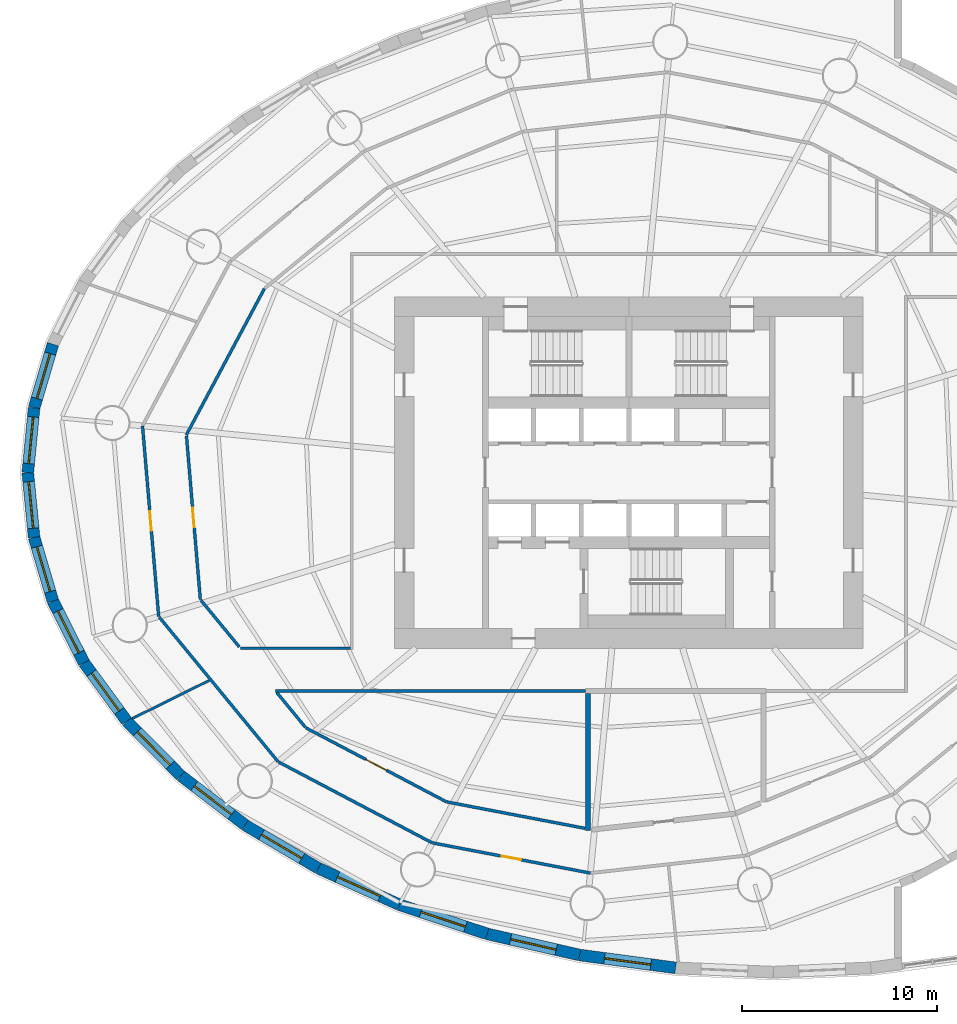
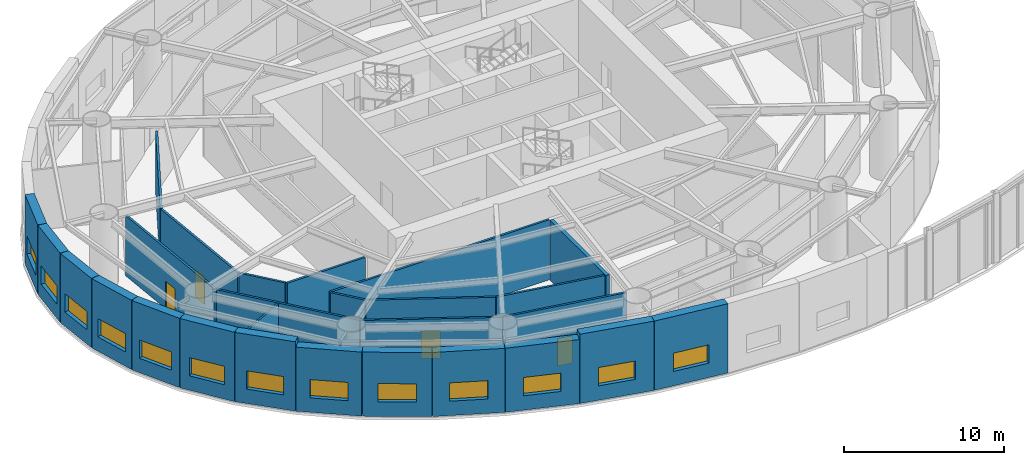
# One storey, part 14 of 19: 27 walls, 13 windows, 4 doors, 17 openings.
"""IFC4 building model written with IfcOpenShell, lengths in metres."""

from ifc_helpers import new_model, si_unit, direction, frame, frame_2d, origin, place, context, subcontext, project, spatial, rectangle, extrude, material, layer, layer_set, type_object, element, fill, save


model = new_model("IFC4")

# Units and contexts
model_context = context("Model", 3, precision=1e-05, world=origin(), true_north=direction((0.0, 1.0)))
body_context = subcontext(model_context, "Body", "Model", "MODEL_VIEW")
ifc_project = project(units=[si_unit("LENGTHUNIT", "METRE"), si_unit("AREAUNIT", "SQUARE_METRE"), si_unit("VOLUMEUNIT", "CUBIC_METRE"), si_unit("PLANEANGLEUNIT", "RADIAN"), si_unit("MASSUNIT", "GRAM", prefix="KILO")], contexts=[model_context])

# Site, building, storey
site_placement = place(None, origin())
site = spatial("IfcSite", under=ifc_project, at=site_placement, CompositionType="ELEMENT")
building_placement = place(site_placement, origin())
building = spatial("IfcBuilding", under=site, at=building_placement, Name="Vermilion Reach Broadcast Tower", CompositionType="ELEMENT")
storey_placement = place(building_placement, frame((0.0, 0.0, 26.0)))
storey = spatial("IfcBuildingStorey", under=building, at=storey_placement, Name="L03", CompositionType="ELEMENT", Elevation=26.0)

# Walls
ifc_material_1 = material(Name="Gypsum board partition")
ifc_layer_1 = layer(ifc_material_1, 0.14990234375)
ifc_layer_set_1 = layer_set([ifc_layer_1], Name="Corridor wall 150")
wall_type_1 = type_object("IfcWallType", Name="Corridor wall 150", PredefinedType="PARTITIONING", material=ifc_layer_set_1)
wall_1_placement = place(storey_placement, frame((-24.097412109375, -11.199951171875, 0.0), z_axis=(0.0, 0.0, 1.0), x_axis=(1.0, 0.0, 0.0)))
element("IfcWall", 1, at=wall_1_placement, inside=storey, type_object=wall_type_1, Name="sp.wall.L03.002", PredefinedType="PARTITIONING", context=body_context, shape_type="SweptSolid", body=[
    extrude(rectangle(XDim=15.875244140625, YDim=0.14990234375, at=frame_2d((7.9375, 0.0))), origin(), (0.0, 0.0, 1.0), 4.60009765625),
])
wall_2_placement = place(storey_placement, frame((-25.90576171875, -9.0, 0.0), z_axis=(0.0, 0.0, 1.0), x_axis=(1.0, 0.0, 0.0)))
element("IfcWall", 2, at=wall_2_placement, inside=storey, type_object=wall_type_1, Name="sp.wall.L03.007", PredefinedType="PARTITIONING", context=body_context, shape_type="SweptSolid", body=[
    extrude(rectangle(XDim=5.630859375, YDim=0.14990234375, at=frame_2d((2.8154296875, 0.0))), origin(), (0.0, 0.0, 1.0), 4.60009765625),
])
wall_3_placement = place(storey_placement, frame((-28.674072265625, 1.933349609375, 0.0), z_axis=(0.0, 0.0, 1.0), x_axis=(0.470743396375, 0.882270171076, 0.0)))
element("IfcWall", 3, at=wall_3_placement, inside=storey, type_object=wall_type_1, Name="sp.wall.L03.017", PredefinedType="PARTITIONING", context=body_context, shape_type="SweptSolid", body=[
    extrude(rectangle(XDim=8.4931640625, YDim=0.14990234375, at=frame_2d((4.24658203125, 0.0))), origin(), (0.0, 0.0, 1.0), 4.60009765625),
])
wall_4_placement = place(storey_placement, frame((-27.926025390625, -6.54248046875, 0.0), z_axis=(0.0, 0.0, 1.0), x_axis=(0.635017397711, -0.772497834692, 0.0)))
element("IfcWall", 4, at=wall_4_placement, inside=storey, type_object=wall_type_1, Name="sp.wall.L03.020", PredefinedType="PARTITIONING", context=body_context, shape_type="SweptSolid", body=[
    extrude(rectangle(XDim=3.08984375, YDim=0.14990234375, at=frame_2d((1.544921875, 0.0))), origin(), (0.0, 0.0, 1.0), 4.60009765625),
])
wall_5_placement = place(storey_placement, frame((-24.039306640625, -11.2705078125, 0.0), z_axis=(0.0, 0.0, 1.0), x_axis=(0.634980634047, -0.772528054109, 0.0)))
element("IfcWall", 5, at=wall_5_placement, inside=storey, type_object=wall_type_1, Name="sp.wall.L03.021", PredefinedType="PARTITIONING", context=body_context, shape_type="SweptSolid", body=[
    extrude(rectangle(XDim=2.309326171875, YDim=0.14990234375, at=frame_2d((1.15478515625, 0.0))), origin(), (0.0, 0.0, 1.0), 4.60009765625),
])

# Wall, opening, door
wall_6_placement = place(storey_placement, frame((-27.958984375, -6.50244140625, 0.0), z_axis=(0.0, 0.0, 1.0), x_axis=(-0.084490422104, 0.99642429144, 0.0)))
wall_6 = element("IfcWall", 6, at=wall_6_placement, inside=storey, type_object=wall_type_1, Name="sp.wall.L03.022", PredefinedType="PARTITIONING", context=body_context, shape_type="SweptSolid", body=[
    extrude(rectangle(XDim=8.417236328125, YDim=0.14990234375, at=frame_2d((4.20849609375, 0.0))), origin(), (0.0, 0.0, 1.0), 4.60009765625),
])
opening_1_placement = place(wall_6_placement, frame((3.708740234375, 0.0, 0.0)))
opening_1 = element("IfcOpeningElement", 7, at=opening_1_placement, cuts=wall_6, Name="Opening D50", PredefinedType="OPENING", context=body_context, shape_type="SweptSolid", body=[
    extrude(rectangle(XDim=1.0, YDim=2.10009765625, at=frame_2d((0.5, 1.050048828125))), frame((0.0, 0.0849609375, 0.0), z_axis=(0.0, -1.0, 0.0), x_axis=(1.0, 0.0, 0.0)), (0.0, 0.0, 1.0), 0.169921875),
])
ifc_material_2 = material(Name="Timber and steel door set", Category="steel")
door_type_1 = type_object("IfcDoorType", Name="Door 1000x2100", OperationType="NOTDEFINED", PredefinedType="DOOR", material=ifc_material_2)
door_1_placement = place(opening_1_placement, origin())
door_1 = element("IfcDoor", 8, at=door_1_placement, inside=storey, type_object=door_type_1, Name="sp.door.L03.004", OperationType="SINGLE_SWING_LEFT", OverallHeight=2.10009765625, OverallWidth=1.0, PredefinedType="DOOR", context=body_context, shape_type="SweptSolid", body=[
    extrude(rectangle(XDim=1.0, YDim=2.10009765625, at=frame_2d((0.5, 1.050048828125))), frame((0.0, 0.02490234375, 0.0), z_axis=(0.0, -1.0, 0.0), x_axis=(1.0, 0.0, 0.0)), (0.0, 0.0, 1.0), 0.050048828125),
])
fill(opening_1, door_1)

wall_7_placement = place(storey_placement, frame((-22.552734375, -13.078857421875, 0.0), z_axis=(0.0, 0.0, 1.0), x_axis=(0.884926027541, -0.46573160273, 0.0)))
wall_7 = element("IfcWall", 9, at=wall_7_placement, inside=storey, type_object=wall_type_1, Name="sp.wall.L03.024", PredefinedType="PARTITIONING", context=body_context, shape_type="SweptSolid", body=[
    extrude(rectangle(XDim=8.14208984375, YDim=0.14990234375, at=frame_2d((4.071044921875, 0.0))), origin(), (0.0, 0.0, 1.0), 4.60009765625),
])
opening_2_placement = place(wall_7_placement, frame((3.47119140625, 0.0, 0.0)))
opening_2 = element("IfcOpeningElement", 10, at=opening_2_placement, cuts=wall_7, Name="Opening D57", PredefinedType="OPENING", context=body_context, shape_type="SweptSolid", body=[
    extrude(rectangle(XDim=1.199951171875, YDim=2.10009765625, at=frame_2d((0.60009765625, 1.050048828125))), frame((0.0, 0.0849609375, 0.0), z_axis=(0.0, -1.0, 0.0), x_axis=(1.0, 0.0, 0.0)), (0.0, 0.0, 1.0), 0.169921875),
])
ifc_material_3 = material(Name="Timber and steel door set", Category="steel")
door_type_2 = type_object("IfcDoorType", Name="Control room door 1200x2100", OperationType="NOTDEFINED", PredefinedType="DOOR", material=ifc_material_3)
door_2_placement = place(opening_2_placement, origin())
door_2 = element("IfcDoor", 11, at=door_2_placement, inside=storey, type_object=door_type_2, Name="sp.door.L03.005", OperationType="SINGLE_SWING_RIGHT", OverallHeight=2.10009765625, OverallWidth=1.199951171875, PredefinedType="DOOR", context=body_context, shape_type="SweptSolid", body=[
    extrude(rectangle(XDim=1.199951171875, YDim=2.10009765625, at=frame_2d((0.60009765625, 1.050048828125))), frame((0.0, 0.02490234375, 0.0), z_axis=(0.0, -1.0, 0.0), x_axis=(1.0, 0.0, 0.0)), (0.0, 0.0, 1.0), 0.050048828125),
])
fill(opening_2, door_2)

# Wall
wall_8_placement = place(storey_placement, frame((-15.3251953125, -16.875244140625, 0.0), z_axis=(0.0, 0.0, 1.0), x_axis=(0.982205675637, -0.187808441629, 0.0)))
element("IfcWall", 12, at=wall_8_placement, inside=storey, type_object=wall_type_1, Name="sp.wall.L03.025", PredefinedType="PARTITIONING", context=body_context, shape_type="SweptSolid", body=[
    extrude(rectangle(XDim=7.21728515625, YDim=0.14990234375, at=frame_2d((3.608642578125, 0.0))), origin(), (0.0, 0.0, 1.0), 4.60009765625),
])

# Wall, opening, door
wall_9_placement = place(storey_placement, frame((-30.921142578125, 2.395263671875, 0.0), z_axis=(0.0, 0.0, 1.0), x_axis=(0.084469905026, -0.996426030945, 0.0)))
wall_9 = element("IfcWall", 13, at=wall_9_placement, inside=storey, type_object=wall_type_1, Name="sp.wall.L03.046", PredefinedType="PARTITIONING", context=body_context, shape_type="SweptSolid", body=[
    extrude(rectangle(XDim=9.80078125, YDim=0.14990234375, at=frame_2d((4.900390625, 0.0))), origin(), (0.0, 0.0, 1.0), 4.60009765625),
])
opening_3_placement = place(wall_9_placement, frame((4.400390625, 0.0, 0.0)))
opening_3 = element("IfcOpeningElement", 14, at=opening_3_placement, cuts=wall_9, Name="Opening D50", PredefinedType="OPENING", context=body_context, shape_type="SweptSolid", body=[
    extrude(rectangle(XDim=1.0, YDim=2.10009765625, at=frame_2d((0.5, 1.050048828125))), frame((0.0, 0.0849609375, 0.0), z_axis=(0.0, -1.0, 0.0), x_axis=(1.0, 0.0, 0.0)), (0.0, 0.0, 1.0), 0.169921875),
])
door_3_placement = place(opening_3_placement, origin())
door_3 = element("IfcDoor", 15, at=door_3_placement, inside=storey, type_object=door_type_1, Name="sp.door.L03.010", OperationType="SINGLE_SWING_RIGHT", OverallHeight=2.10009765625, OverallWidth=1.0, PredefinedType="DOOR", context=body_context, shape_type="SweptSolid", body=[
    extrude(rectangle(XDim=1.0, YDim=2.10009765625, at=frame_2d((0.5, 1.050048828125))), frame((0.0, 0.02490234375, 0.0), z_axis=(0.0, -1.0, 0.0), x_axis=(1.0, 0.0, 0.0)), (0.0, 0.0, 1.0), 0.050048828125),
])
fill(opening_3, door_3)

# Walls
wall_10_placement = place(storey_placement, frame((-30.060302734375, -7.41064453125, 0.0), z_axis=(0.0, 0.0, 1.0), x_axis=(0.63502168635, -0.772494309277, 0.0)))
element("IfcWall", 16, at=wall_10_placement, inside=storey, type_object=wall_type_1, Name="sp.wall.L03.047", PredefinedType="PARTITIONING", context=body_context, shape_type="SweptSolid", body=[
    extrude(rectangle(XDim=9.590087890625, YDim=0.14990234375, at=frame_2d((4.794921875, 0.0))), origin(), (0.0, 0.0, 1.0), 4.60009765625),
])
wall_11_placement = place(storey_placement, frame((-23.9423828125, -14.83349609375, 0.0), z_axis=(0.0, 0.0, 1.0), x_axis=(0.884920607371, -0.465741901326, 0.0)))
element("IfcWall", 17, at=wall_11_placement, inside=storey, type_object=wall_type_1, Name="sp.wall.L03.048", PredefinedType="PARTITIONING", context=body_context, shape_type="SweptSolid", body=[
    extrude(rectangle(XDim=8.882080078125, YDim=0.14990234375, at=frame_2d((4.44091796875, 0.0))), origin(), (0.0, 0.0, 1.0), 4.60009765625),
])

# Wall, opening, door
wall_12_placement = place(storey_placement, frame((-16.06005859375, -18.974609375, 0.0), z_axis=(0.0, 0.0, 1.0), x_axis=(0.982207009241, -0.187801466976, 0.0)))
wall_12 = element("IfcWall", 18, at=wall_12_placement, inside=storey, type_object=wall_type_1, Name="sp.wall.L03.049", PredefinedType="PARTITIONING", context=body_context, shape_type="SweptSolid", body=[
    extrude(rectangle(XDim=8.234130859375, YDim=0.14990234375, at=frame_2d((4.1171875, 0.0))), origin(), (0.0, 0.0, 1.0), 4.60009765625),
])
opening_4_placement = place(wall_12_placement, frame((3.6171875, 0.0, 0.0)))
opening_4 = element("IfcOpeningElement", 19, at=opening_4_placement, cuts=wall_12, Name="Opening D50", PredefinedType="OPENING", context=body_context, shape_type="SweptSolid", body=[
    extrude(rectangle(XDim=1.0, YDim=2.10009765625, at=frame_2d((0.5, 1.050048828125))), frame((0.0, 0.0849609375, 0.0), z_axis=(0.0, -1.0, 0.0), x_axis=(1.0, 0.0, 0.0)), (0.0, 0.0, 1.0), 0.169921875),
])
door_4_placement = place(opening_4_placement, origin())
door_4 = element("IfcDoor", 20, at=door_4_placement, inside=storey, type_object=door_type_1, Name="sp.door.L03.011", OperationType="SINGLE_SWING_LEFT", OverallHeight=2.10009765625, OverallWidth=1.0, PredefinedType="DOOR", context=body_context, shape_type="SweptSolid", body=[
    extrude(rectangle(XDim=1.0, YDim=2.10009765625, at=frame_2d((0.5, 1.050048828125))), frame((0.0, 0.02490234375, 0.0), z_axis=(0.0, -1.0, 0.0), x_axis=(1.0, 0.0, 0.0)), (0.0, 0.0, 1.0), 0.050048828125),
])
fill(opening_4, door_4)

# Wall
ifc_material_4 = material(Name="Gypsum board partition")
ifc_layer_2 = layer(ifc_material_4, 0.125)
ifc_layer_set_2 = layer_set([ifc_layer_2], Name="Partition 125 plasterboard")
wall_type_2 = type_object("IfcWallType", Name="Partition 125 plasterboard", PredefinedType="PARTITIONING", material=ifc_layer_set_2)
wall_13_placement = place(storey_placement, frame((-31.4423828125, -12.599609375, 0.0), z_axis=(0.0, 0.0, 1.0), x_axis=(0.896145499413, 0.443760345099, 0.0)))
element("IfcWall", 21, at=wall_13_placement, inside=storey, type_object=wall_type_2, Name="sp.wall.L03.045", PredefinedType="PARTITIONING", context=body_context, shape_type="SweptSolid", body=[
    extrude(rectangle(XDim=4.387451171875, YDim=0.125, at=frame_2d((2.19384765625, 0.0))), origin(), (0.0, 0.0, 1.0), 4.60009765625),
])

# Wall, opening, window
ifc_material_5 = material(Name="Precast concrete C40/50 with acoustic cladding", Category="concrete")
ifc_layer_3 = layer(ifc_material_5, 0.60009765625)
ifc_layer_set_3 = layer_set([ifc_layer_3], Name="Podium acoustic wall 600")
wall_type_3 = type_object("IfcWallType", Name="Podium acoustic wall 600", PredefinedType="SOLIDWALL", material=ifc_layer_set_3)
wall_14_placement = place(storey_placement, frame((-35.51318359375, 6.58154296875, 0.0), z_axis=(0.0, 0.0, 1.0), x_axis=(-0.283226206308, -0.95905313516, 0.0)))
wall_14 = element("IfcWall", 22, at=wall_14_placement, inside=storey, type_object=wall_type_3, Name="Podium wall L03 str12", PredefinedType="SOLIDWALL", context=body_context, shape_type="SweptSolid", body=[
    extrude(rectangle(XDim=3.404052734375, YDim=0.60009765625, at=frame_2d((1.7021484375, 0.0))), origin(), (0.0, 0.0, 1.0), 5.300048828125),
])
opening_5_placement = place(wall_14_placement, frame((0.501953125, 0.0, 1.10009765625)))
opening_5 = element("IfcOpeningElement", 23, at=opening_5_placement, cuts=wall_14, Name="Opening W11", PredefinedType="OPENING", context=body_context, shape_type="SweptSolid", body=[
    extrude(rectangle(XDim=2.39990234375, YDim=1.39990234375, at=frame_2d((1.199951171875, 0.699951171875))), frame((0.0, 0.31005859375, 0.0), z_axis=(0.0, -1.0, 0.0), x_axis=(1.0, 0.0, 0.0)), (0.0, 0.0, 1.0), 0.6201171875),
])
ifc_material_6 = material(Name="Acoustic laminated glass in aluminium frame", Category="aluminium")
window_type = type_object("IfcWindowType", Name="Control room window 2400 x 1400", PartitioningType="SINGLE_PANEL", PredefinedType="WINDOW", material=ifc_material_6)
window_1_placement = place(opening_5_placement, origin())
window_1 = element("IfcWindow", 24, at=window_1_placement, inside=storey, type_object=window_type, Name="Window L03 12", OverallHeight=1.39990234375, OverallWidth=2.39990234375, PartitioningType="SINGLE_PANEL", PredefinedType="WINDOW", context=body_context, shape_type="SweptSolid", body=[
    extrude(rectangle(XDim=2.39990234375, YDim=1.39990234375, at=frame_2d((1.199951171875, 0.699951171875))), frame((0.0, 0.030029296875, 0.0), z_axis=(0.0, -1.0, 0.0), x_axis=(1.0, 0.0, 0.0)), (0.0, 0.0, 1.0), 0.06005859375),
])
fill(opening_5, window_1)

wall_15_placement = place(storey_placement, frame((-36.477294921875, 3.31689453125, 0.0), z_axis=(0.0, 0.0, 1.0), x_axis=(-0.096848626537, -0.995299122645, 0.0)))
wall_15 = element("IfcWall", 25, at=wall_15_placement, inside=storey, type_object=wall_type_3, Name="Podium wall L03 str13", PredefinedType="SOLIDWALL", context=body_context, shape_type="SweptSolid", body=[
    extrude(rectangle(XDim=3.33251953125, YDim=0.60009765625, at=frame_2d((1.666259765625, 0.0))), origin(), (0.0, 0.0, 1.0), 5.300048828125),
])
opening_6_placement = place(wall_15_placement, frame((0.46630859375, 0.0, 1.10009765625)))
opening_6 = element("IfcOpeningElement", 26, at=opening_6_placement, cuts=wall_15, Name="Opening W11", PredefinedType="OPENING", context=body_context, shape_type="SweptSolid", body=[
    extrude(rectangle(XDim=2.39990234375, YDim=1.39990234375, at=frame_2d((1.199951171875, 0.699951171875))), frame((0.0, 0.31005859375, 0.0), z_axis=(0.0, -1.0, 0.0), x_axis=(1.0, 0.0, 0.0)), (0.0, 0.0, 1.0), 0.6201171875),
])
window_2_placement = place(opening_6_placement, origin())
window_2 = element("IfcWindow", 27, at=window_2_placement, inside=storey, type_object=window_type, Name="Window L03 13", OverallHeight=1.39990234375, OverallWidth=2.39990234375, PartitioningType="SINGLE_PANEL", PredefinedType="WINDOW", context=body_context, shape_type="SweptSolid", body=[
    extrude(rectangle(XDim=2.39990234375, YDim=1.39990234375, at=frame_2d((1.199951171875, 0.699951171875))), frame((0.0, 0.030029296875, 0.0), z_axis=(0.0, -1.0, 0.0), x_axis=(1.0, 0.0, 0.0)), (0.0, 0.0, 1.0), 0.06005859375),
])
fill(opening_6, window_2)

wall_16_placement = place(storey_placement, frame((-36.800048828125, 0.0, 0.0), z_axis=(0.0, 0.0, 1.0), x_axis=(0.096848626537, -0.995299122645, 0.0)))
wall_16 = element("IfcWall", 28, at=wall_16_placement, inside=storey, type_object=wall_type_3, Name="Podium wall L03 str14", PredefinedType="SOLIDWALL", context=body_context, shape_type="SweptSolid", body=[
    extrude(rectangle(XDim=3.33251953125, YDim=0.60009765625, at=frame_2d((1.666259765625, 0.0))), origin(), (0.0, 0.0, 1.0), 5.300048828125),
])
opening_7_placement = place(wall_16_placement, frame((0.46630859375, 0.0, 1.10009765625)))
opening_7 = element("IfcOpeningElement", 29, at=opening_7_placement, cuts=wall_16, Name="Opening W11", PredefinedType="OPENING", context=body_context, shape_type="SweptSolid", body=[
    extrude(rectangle(XDim=2.39990234375, YDim=1.39990234375, at=frame_2d((1.199951171875, 0.699951171875))), frame((0.0, 0.31005859375, 0.0), z_axis=(0.0, -1.0, 0.0), x_axis=(1.0, 0.0, 0.0)), (0.0, 0.0, 1.0), 0.6201171875),
])
window_3_placement = place(opening_7_placement, origin())
window_3 = element("IfcWindow", 30, at=window_3_placement, inside=storey, type_object=window_type, Name="Window L03 14", OverallHeight=1.39990234375, OverallWidth=2.39990234375, PartitioningType="SINGLE_PANEL", PredefinedType="WINDOW", context=body_context, shape_type="SweptSolid", body=[
    extrude(rectangle(XDim=2.39990234375, YDim=1.39990234375, at=frame_2d((1.199951171875, 0.699951171875))), frame((0.0, 0.030029296875, 0.0), z_axis=(0.0, -1.0, 0.0), x_axis=(1.0, 0.0, 0.0)), (0.0, 0.0, 1.0), 0.06005859375),
])
fill(opening_7, window_3)

wall_17_placement = place(storey_placement, frame((-36.477294921875, -3.31689453125, 0.0), z_axis=(0.0, 0.0, 1.0), x_axis=(0.283226206308, -0.95905313516, 0.0)))
wall_17 = element("IfcWall", 31, at=wall_17_placement, inside=storey, type_object=wall_type_3, Name="Podium wall L03 str15", PredefinedType="SOLIDWALL", context=body_context, shape_type="SweptSolid", body=[
    extrude(rectangle(XDim=3.404052734375, YDim=0.60009765625, at=frame_2d((1.7021484375, 0.0))), origin(), (0.0, 0.0, 1.0), 5.300048828125),
])
opening_8_placement = place(wall_17_placement, frame((0.501953125, 0.0, 1.10009765625)))
opening_8 = element("IfcOpeningElement", 32, at=opening_8_placement, cuts=wall_17, Name="Opening W11", PredefinedType="OPENING", context=body_context, shape_type="SweptSolid", body=[
    extrude(rectangle(XDim=2.39990234375, YDim=1.39990234375, at=frame_2d((1.199951171875, 0.699951171875))), frame((0.0, 0.31005859375, 0.0), z_axis=(0.0, -1.0, 0.0), x_axis=(1.0, 0.0, 0.0)), (0.0, 0.0, 1.0), 0.6201171875),
])
window_4_placement = place(opening_8_placement, origin())
window_4 = element("IfcWindow", 33, at=window_4_placement, inside=storey, type_object=window_type, Name="Window L03 15", OverallHeight=1.39990234375, OverallWidth=2.39990234375, PartitioningType="SINGLE_PANEL", PredefinedType="WINDOW", context=body_context, shape_type="SweptSolid", body=[
    extrude(rectangle(XDim=2.39990234375, YDim=1.39990234375, at=frame_2d((1.199951171875, 0.699951171875))), frame((0.0, 0.030029296875, 0.0), z_axis=(0.0, -1.0, 0.0), x_axis=(1.0, 0.0, 0.0)), (0.0, 0.0, 1.0), 0.06005859375),
])
fill(opening_8, window_4)

wall_18_placement = place(storey_placement, frame((-35.51318359375, -6.58154296875, 0.0), z_axis=(0.0, 0.0, 1.0), x_axis=(0.450137579264, -0.892959215045, 0.0)))
wall_18 = element("IfcWall", 34, at=wall_18_placement, inside=storey, type_object=wall_type_3, Name="Podium wall L03 str16", PredefinedType="SOLIDWALL", context=body_context, shape_type="SweptSolid", body=[
    extrude(rectangle(XDim=3.537353515625, YDim=0.60009765625, at=frame_2d((1.7685546875, 0.0))), origin(), (0.0, 0.0, 1.0), 5.300048828125),
])
opening_9_placement = place(wall_18_placement, frame((0.568603515625, 0.0, 1.10009765625)))
opening_9 = element("IfcOpeningElement", 35, at=opening_9_placement, cuts=wall_18, Name="Opening W11", PredefinedType="OPENING", context=body_context, shape_type="SweptSolid", body=[
    extrude(rectangle(XDim=2.39990234375, YDim=1.39990234375, at=frame_2d((1.199951171875, 0.699951171875))), frame((0.0, 0.31005859375, 0.0), z_axis=(0.0, -1.0, 0.0), x_axis=(1.0, 0.0, 0.0)), (0.0, 0.0, 1.0), 0.6201171875),
])
window_5_placement = place(opening_9_placement, origin())
window_5 = element("IfcWindow", 36, at=window_5_placement, inside=storey, type_object=window_type, Name="Window L03 16", OverallHeight=1.39990234375, OverallWidth=2.39990234375, PartitioningType="SINGLE_PANEL", PredefinedType="WINDOW", context=body_context, shape_type="SweptSolid", body=[
    extrude(rectangle(XDim=2.39990234375, YDim=1.39990234375, at=frame_2d((1.199951171875, 0.699951171875))), frame((0.0, 0.030029296875, 0.0), z_axis=(0.0, -1.0, 0.0), x_axis=(1.0, 0.0, 0.0)), (0.0, 0.0, 1.0), 0.06005859375),
])
fill(opening_9, window_5)

wall_19_placement = place(storey_placement, frame((-33.9208984375, -9.740234375, 0.0), z_axis=(0.0, 0.0, 1.0), x_axis=(0.59073426953, -0.806866174035, 0.0)))
wall_19 = element("IfcWall", 37, at=wall_19_placement, inside=storey, type_object=wall_type_3, Name="Podium wall L03 str17", PredefinedType="SOLIDWALL", context=body_context, shape_type="SweptSolid", body=[
    extrude(rectangle(XDim=3.717529296875, YDim=0.60009765625, at=frame_2d((1.85888671875, 0.0))), origin(), (0.0, 0.0, 1.0), 5.300048828125),
])
opening_10_placement = place(wall_19_placement, frame((0.65869140625, 0.0, 1.10009765625)))
opening_10 = element("IfcOpeningElement", 38, at=opening_10_placement, cuts=wall_19, Name="Opening W11", PredefinedType="OPENING", context=body_context, shape_type="SweptSolid", body=[
    extrude(rectangle(XDim=2.39990234375, YDim=1.39990234375, at=frame_2d((1.199951171875, 0.699951171875))), frame((0.0, 0.31005859375, 0.0), z_axis=(0.0, -1.0, 0.0), x_axis=(1.0, 0.0, 0.0)), (0.0, 0.0, 1.0), 0.6201171875),
])
window_6_placement = place(opening_10_placement, origin())
window_6 = element("IfcWindow", 39, at=window_6_placement, inside=storey, type_object=window_type, Name="Window L03 17", OverallHeight=1.39990234375, OverallWidth=2.39990234375, PartitioningType="SINGLE_PANEL", PredefinedType="WINDOW", context=body_context, shape_type="SweptSolid", body=[
    extrude(rectangle(XDim=2.39990234375, YDim=1.39990234375, at=frame_2d((1.199951171875, 0.699951171875))), frame((0.0, 0.030029296875, 0.0), z_axis=(0.0, -1.0, 0.0), x_axis=(1.0, 0.0, 0.0)), (0.0, 0.0, 1.0), 0.06005859375),
])
fill(opening_10, window_6)

wall_20_placement = place(storey_placement, frame((-31.724853515625, -12.73974609375, 0.0), z_axis=(0.0, 0.0, 1.0), x_axis=(0.704303183564, -0.709899306678, 0.0)))
wall_20 = element("IfcWall", 40, at=wall_20_placement, inside=storey, type_object=wall_type_3, Name="Podium wall L03 str18", PredefinedType="SOLIDWALL", context=body_context, shape_type="SweptSolid", body=[
    extrude(rectangle(XDim=3.926513671875, YDim=0.60009765625, at=frame_2d((1.96337890625, 0.0))), origin(), (0.0, 0.0, 1.0), 5.300048828125),
])
opening_11_placement = place(wall_20_placement, frame((0.76318359375, 0.0, 1.10009765625)))
opening_11 = element("IfcOpeningElement", 41, at=opening_11_placement, cuts=wall_20, Name="Opening W11", PredefinedType="OPENING", context=body_context, shape_type="SweptSolid", body=[
    extrude(rectangle(XDim=2.39990234375, YDim=1.39990234375, at=frame_2d((1.199951171875, 0.699951171875))), frame((0.0, 0.31005859375, 0.0), z_axis=(0.0, -1.0, 0.0), x_axis=(1.0, 0.0, 0.0)), (0.0, 0.0, 1.0), 0.6201171875),
])
window_7_placement = place(opening_11_placement, origin())
window_7 = element("IfcWindow", 42, at=window_7_placement, inside=storey, type_object=window_type, Name="Window L03 18", OverallHeight=1.39990234375, OverallWidth=2.39990234375, PartitioningType="SINGLE_PANEL", PredefinedType="WINDOW", context=body_context, shape_type="SweptSolid", body=[
    extrude(rectangle(XDim=2.39990234375, YDim=1.39990234375, at=frame_2d((1.199951171875, 0.699951171875))), frame((0.0, 0.030029296875, 0.0), z_axis=(0.0, -1.0, 0.0), x_axis=(1.0, 0.0, 0.0)), (0.0, 0.0, 1.0), 0.06005859375),
])
fill(opening_11, window_7)

wall_21_placement = place(storey_placement, frame((-13.26416015625, -23.635498046875, 0.0), z_axis=(0.0, 0.0, 1.0), x_axis=(0.97483982486, -0.222906518224, 0.0)))
wall_21 = element("IfcWall", 43, at=wall_21_placement, inside=storey, type_object=wall_type_3, Name="Podium wall L03 str23", PredefinedType="SOLIDWALL", context=body_context, shape_type="SweptSolid", body=[
    extrude(rectangle(XDim=4.867431640625, YDim=0.60009765625, at=frame_2d((2.43359375, 0.0))), origin(), (0.0, 0.0, 1.0), 5.300048828125),
])
opening_12_placement = place(wall_21_placement, frame((1.233642578125, 0.0, 1.10009765625)))
opening_12 = element("IfcOpeningElement", 44, at=opening_12_placement, cuts=wall_21, Name="Opening W11", PredefinedType="OPENING", context=body_context, shape_type="SweptSolid", body=[
    extrude(rectangle(XDim=2.39990234375, YDim=1.39990234375, at=frame_2d((1.199951171875, 0.699951171875))), frame((0.0, 0.31005859375, 0.0), z_axis=(0.0, -1.0, 0.0), x_axis=(1.0, 0.0, 0.0)), (0.0, 0.0, 1.0), 0.6201171875),
])
window_8_placement = place(opening_12_placement, origin())
window_8 = element("IfcWindow", 45, at=window_8_placement, inside=storey, type_object=window_type, Name="Window L03 23", OverallHeight=1.39990234375, OverallWidth=2.39990234375, PartitioningType="SINGLE_PANEL", PredefinedType="WINDOW", context=body_context, shape_type="SweptSolid", body=[
    extrude(rectangle(XDim=2.39990234375, YDim=1.39990234375, at=frame_2d((1.199951171875, 0.699951171875))), frame((0.0, 0.030029296875, 0.0), z_axis=(0.0, -1.0, 0.0), x_axis=(1.0, 0.0, 0.0)), (0.0, 0.0, 1.0), 0.06005859375),
])
fill(opening_12, window_8)

wall_22_placement = place(storey_placement, frame((-8.519287109375, -24.720458984375, 0.0), z_axis=(0.0, 0.0, 1.0), x_axis=(0.991143444913, -0.132795600853, 0.0)))
wall_22 = element("IfcWall", 46, at=wall_22_placement, inside=storey, type_object=wall_type_3, Name="Podium wall L03 str24", PredefinedType="SOLIDWALL", context=body_context, shape_type="SweptSolid", body=[
    extrude(rectangle(XDim=4.960205078125, YDim=0.60009765625, at=frame_2d((2.47998046875, 0.0))), origin(), (0.0, 0.0, 1.0), 5.300048828125),
])
opening_13_placement = place(wall_22_placement, frame((1.2802734375, 0.0, 1.10009765625)))
opening_13 = element("IfcOpeningElement", 47, at=opening_13_placement, cuts=wall_22, Name="Opening W11", PredefinedType="OPENING", context=body_context, shape_type="SweptSolid", body=[
    extrude(rectangle(XDim=2.39990234375, YDim=1.39990234375, at=frame_2d((1.199951171875, 0.699951171875))), frame((0.0, 0.31005859375, 0.0), z_axis=(0.0, -1.0, 0.0), x_axis=(1.0, 0.0, 0.0)), (0.0, 0.0, 1.0), 0.6201171875),
])
window_9_placement = place(opening_13_placement, origin())
window_9 = element("IfcWindow", 48, at=window_9_placement, inside=storey, type_object=window_type, Name="Window L03 24", OverallHeight=1.39990234375, OverallWidth=2.39990234375, PartitioningType="SINGLE_PANEL", PredefinedType="WINDOW", context=body_context, shape_type="SweptSolid", body=[
    extrude(rectangle(XDim=2.39990234375, YDim=1.39990234375, at=frame_2d((1.199951171875, 0.699951171875))), frame((0.0, 0.030029296875, 0.0), z_axis=(0.0, -1.0, 0.0), x_axis=(1.0, 0.0, 0.0)), (0.0, 0.0, 1.0), 0.06005859375),
])
fill(opening_13, window_9)

ifc_material_7 = material(Name="Precast concrete C40/50 with acoustic cladding", Category="concrete")
ifc_layer_4 = layer(ifc_material_7, 0.60009765625)
ifc_layer_set_4 = layer_set([ifc_layer_4], Name="Podium acoustic wall 600, head 400 below soffit")
wall_type_4 = type_object("IfcWallType", Name="Podium acoustic wall 600, head 400 below soffit", PredefinedType="SOLIDWALL", material=ifc_layer_set_4)
wall_23_placement = place(storey_placement, frame((-28.95947265625, -15.527099609375, 0.0), z_axis=(0.0, 0.0, 1.0), x_axis=(0.793065901338, -0.609135843745, 0.0)))
wall_23 = element("IfcWall", 49, at=wall_23_placement, inside=storey, type_object=wall_type_4, Name="Podium wall L03 str19", PredefinedType="SOLIDWALL", context=body_context, shape_type="SweptSolid", body=[
    extrude(rectangle(XDim=4.146728515625, YDim=0.60009765625, at=frame_2d((2.0732421875, 0.0))), origin(), (0.0, 0.0, 1.0), 4.89990234375),
])
opening_14_placement = place(wall_23_placement, frame((0.873291015625, 0.0, 1.10009765625)))
opening_14 = element("IfcOpeningElement", 50, at=opening_14_placement, cuts=wall_23, Name="Opening W11", PredefinedType="OPENING", context=body_context, shape_type="SweptSolid", body=[
    extrude(rectangle(XDim=2.39990234375, YDim=1.39990234375, at=frame_2d((1.199951171875, 0.699951171875))), frame((0.0, 0.31005859375, 0.0), z_axis=(0.0, -1.0, 0.0), x_axis=(1.0, 0.0, 0.0)), (0.0, 0.0, 1.0), 0.6201171875),
])
window_10_placement = place(opening_14_placement, origin())
window_10 = element("IfcWindow", 51, at=window_10_placement, inside=storey, type_object=window_type, Name="Window L03 19", OverallHeight=1.39990234375, OverallWidth=2.39990234375, PartitioningType="SINGLE_PANEL", PredefinedType="WINDOW", context=body_context, shape_type="SweptSolid", body=[
    extrude(rectangle(XDim=2.39990234375, YDim=1.39990234375, at=frame_2d((1.199951171875, 0.699951171875))), frame((0.0, 0.030029296875, 0.0), z_axis=(0.0, -1.0, 0.0), x_axis=(1.0, 0.0, 0.0)), (0.0, 0.0, 1.0), 0.06005859375),
])
fill(opening_14, window_10)

wall_24_placement = place(storey_placement, frame((-25.6708984375, -18.052978515625, 0.0), z_axis=(0.0, 0.0, 1.0), x_axis=(0.861017868942, -0.508574703818, 0.0)))
wall_24 = element("IfcWall", 52, at=wall_24_placement, inside=storey, type_object=wall_type_4, Name="Podium wall L03 str20", PredefinedType="SOLIDWALL", context=body_context, shape_type="SweptSolid", body=[
    extrude(rectangle(XDim=4.36279296875, YDim=0.60009765625, at=frame_2d((2.181396484375, 0.0))), origin(), (0.0, 0.0, 1.0), 4.89990234375),
])
opening_15_placement = place(wall_24_placement, frame((0.9814453125, 0.0, 1.10009765625)))
opening_15 = element("IfcOpeningElement", 53, at=opening_15_placement, cuts=wall_24, Name="Opening W11", PredefinedType="OPENING", context=body_context, shape_type="SweptSolid", body=[
    extrude(rectangle(XDim=2.39990234375, YDim=1.39990234375, at=frame_2d((1.199951171875, 0.699951171875))), frame((0.0, 0.31005859375, 0.0), z_axis=(0.0, -1.0, 0.0), x_axis=(1.0, 0.0, 0.0)), (0.0, 0.0, 1.0), 0.6201171875),
])
window_11_placement = place(opening_15_placement, origin())
window_11 = element("IfcWindow", 54, at=window_11_placement, inside=storey, type_object=window_type, Name="Window L03 20", OverallHeight=1.39990234375, OverallWidth=2.39990234375, PartitioningType="SINGLE_PANEL", PredefinedType="WINDOW", context=body_context, shape_type="SweptSolid", body=[
    extrude(rectangle(XDim=2.39990234375, YDim=1.39990234375, at=frame_2d((1.199951171875, 0.699951171875))), frame((0.0, 0.030029296875, 0.0), z_axis=(0.0, -1.0, 0.0), x_axis=(1.0, 0.0, 0.0)), (0.0, 0.0, 1.0), 0.06005859375),
])
fill(opening_15, window_11)

wall_25_placement = place(storey_placement, frame((-21.91455078125, -20.271728515625, 0.0), z_axis=(0.0, 0.0, 1.0), x_axis=(0.911894462824, -0.410424766152, 0.0)))
wall_25 = element("IfcWall", 55, at=wall_25_placement, inside=storey, type_object=wall_type_4, Name="Podium wall L03 str21", PredefinedType="SOLIDWALL", context=body_context, shape_type="SweptSolid", body=[
    extrude(rectangle(XDim=4.561279296875, YDim=0.60009765625, at=frame_2d((2.28076171875, 0.0))), origin(), (0.0, 0.0, 1.0), 4.89990234375),
])
opening_16_placement = place(wall_25_placement, frame((1.08056640625, 0.0, 1.10009765625)))
opening_16 = element("IfcOpeningElement", 56, at=opening_16_placement, cuts=wall_25, Name="Opening W11", PredefinedType="OPENING", context=body_context, shape_type="SweptSolid", body=[
    extrude(rectangle(XDim=2.39990234375, YDim=1.39990234375, at=frame_2d((1.199951171875, 0.699951171875))), frame((0.0, 0.31005859375, 0.0), z_axis=(0.0, -1.0, 0.0), x_axis=(1.0, 0.0, 0.0)), (0.0, 0.0, 1.0), 0.6201171875),
])
window_12_placement = place(opening_16_placement, origin())
window_12 = element("IfcWindow", 57, at=window_12_placement, inside=storey, type_object=window_type, Name="Window L03 21", OverallHeight=1.39990234375, OverallWidth=2.39990234375, PartitioningType="SINGLE_PANEL", PredefinedType="WINDOW", context=body_context, shape_type="SweptSolid", body=[
    extrude(rectangle(XDim=2.39990234375, YDim=1.39990234375, at=frame_2d((1.199951171875, 0.699951171875))), frame((0.0, 0.030029296875, 0.0), z_axis=(0.0, -1.0, 0.0), x_axis=(1.0, 0.0, 0.0)), (0.0, 0.0, 1.0), 0.06005859375),
])
fill(opening_16, window_12)

wall_26_placement = place(storey_placement, frame((-17.755126953125, -22.143798828125, 0.0), z_axis=(0.0, 0.0, 1.0), x_axis=(0.94901810672, -0.315221561949, 0.0)))
wall_26 = element("IfcWall", 58, at=wall_26_placement, inside=storey, type_object=wall_type_4, Name="Podium wall L03 str22", PredefinedType="SOLIDWALL", context=body_context, shape_type="SweptSolid", body=[
    extrude(rectangle(XDim=4.732177734375, YDim=0.60009765625, at=frame_2d((2.3662109375, 0.0))), origin(), (0.0, 0.0, 1.0), 4.89990234375),
])
opening_17_placement = place(wall_26_placement, frame((1.166015625, 0.0, 1.10009765625)))
opening_17 = element("IfcOpeningElement", 59, at=opening_17_placement, cuts=wall_26, Name="Opening W11", PredefinedType="OPENING", context=body_context, shape_type="SweptSolid", body=[
    extrude(rectangle(XDim=2.39990234375, YDim=1.39990234375, at=frame_2d((1.199951171875, 0.699951171875))), frame((0.0, 0.31005859375, 0.0), z_axis=(0.0, -1.0, 0.0), x_axis=(1.0, 0.0, 0.0)), (0.0, 0.0, 1.0), 0.6201171875),
])
window_13_placement = place(opening_17_placement, origin())
window_13 = element("IfcWindow", 60, at=window_13_placement, inside=storey, type_object=window_type, Name="Window L03 22", OverallHeight=1.39990234375, OverallWidth=2.39990234375, PartitioningType="SINGLE_PANEL", PredefinedType="WINDOW", context=body_context, shape_type="SweptSolid", body=[
    extrude(rectangle(XDim=2.39990234375, YDim=1.39990234375, at=frame_2d((1.199951171875, 0.699951171875))), frame((0.0, 0.030029296875, 0.0), z_axis=(0.0, -1.0, 0.0), x_axis=(1.0, 0.0, 0.0)), (0.0, 0.0, 1.0), 0.06005859375),
])
fill(opening_17, window_13)

# Wall
ifc_material_8 = material(Name="Gypsum board shaft wall")
ifc_layer_5 = layer(ifc_material_8, 0.25)
ifc_layer_set_5 = layer_set([ifc_layer_5], Name="Server room wall 250")
wall_type_5 = type_object("IfcWallType", Name="Server room wall 250", PredefinedType="PARTITIONING", material=ifc_layer_set_5)
wall_27_placement = place(storey_placement, frame((-8.097412109375, -18.332275390625, 0.0), z_axis=(0.0, 0.0, 1.0), x_axis=(0.0, 1.0, 0.0)))
element("IfcWall", 61, at=wall_27_placement, inside=storey, type_object=wall_type_5, Name="sp.wall.L03.023", PredefinedType="PARTITIONING", context=body_context, shape_type="SweptSolid", body=[
    extrude(rectangle(XDim=7.00732421875, YDim=0.25, at=frame_2d((3.503662109375, 0.0))), origin(), (0.0, 0.0, 1.0), 4.60009765625),
])

save(model, "model.ifc")
